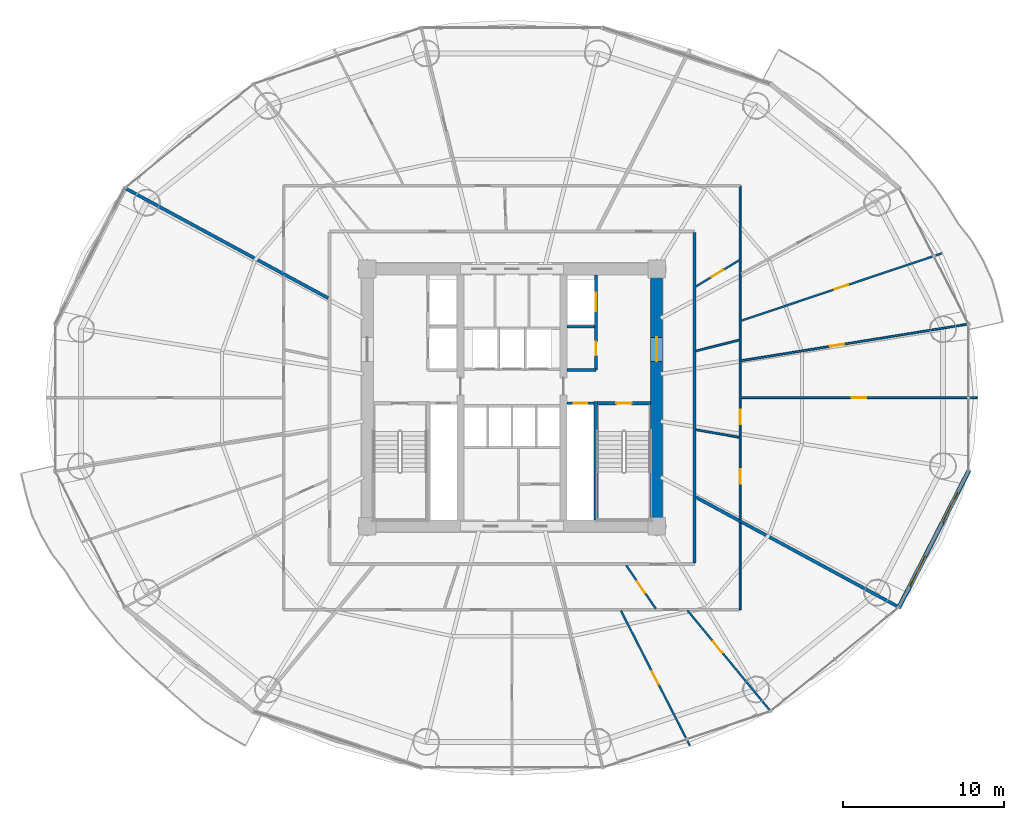
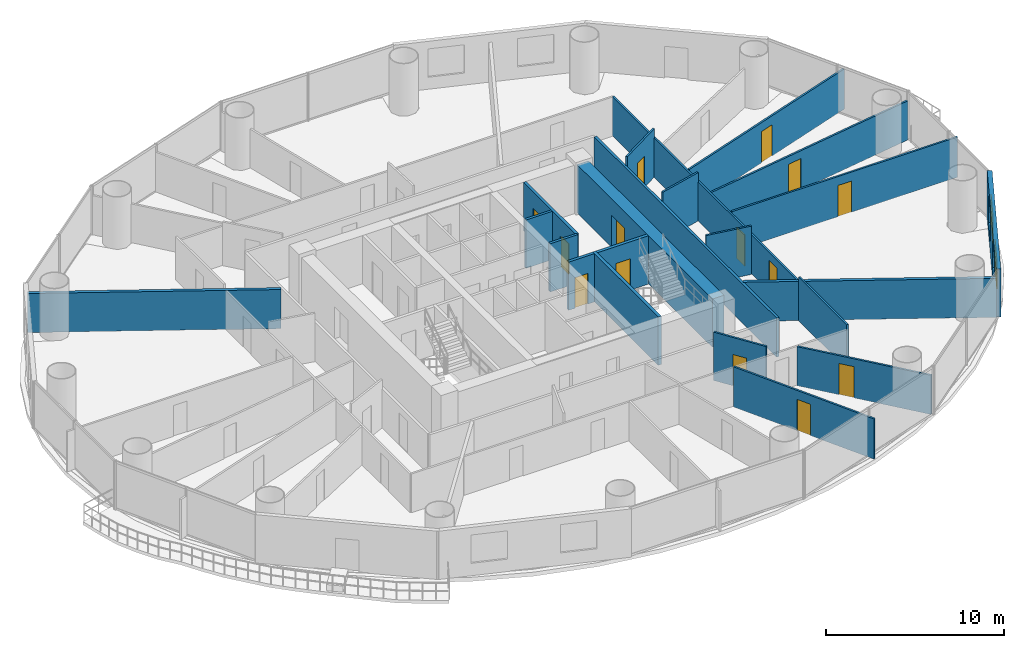
# One storey, part 24 of 29: 22 walls, 14 doors, 2 windows, 16 openings.
"""IFC4 building model written with IfcOpenShell, lengths in metres."""

from ifc_helpers import new_model, si_unit, direction, frame, frame_2d, origin, place, context, subcontext, project, spatial, rectangle, extrude, source, transform, mapped, material, layer, layer_set, type_object, element, fill, save


model = new_model("IFC4")

# Units and contexts
model_context = context("Model", 3, precision=1e-05, world=origin(), true_north=direction((-0.2419218956, 0.970295726276)))
body_context = subcontext(model_context, "Body", "Model", "MODEL_VIEW")
ifc_project = project(units=[si_unit("LENGTHUNIT", "METRE"), si_unit("AREAUNIT", "SQUARE_METRE"), si_unit("VOLUMEUNIT", "CUBIC_METRE"), si_unit("PLANEANGLEUNIT", "RADIAN"), si_unit("MASSUNIT", "GRAM", prefix="KILO")], contexts=[model_context])

# Site, building, storey
site_placement = place(None, origin())
site = spatial("IfcSite", under=ifc_project, at=site_placement, CompositionType="ELEMENT")
building_placement = place(site_placement, origin())
building = spatial("IfcBuilding", under=site, at=building_placement, Name="Cobrevalo Terracotta Tower", CompositionType="ELEMENT")
storey_placement = place(building_placement, frame((0.0, 0.0, 45.60009765625)))
storey = spatial("IfcBuildingStorey", under=building, at=storey_placement, Name="L11", CompositionType="ELEMENT", Elevation=45.60009765625)

# Wall, opening, door
ifc_material_1 = material(Name="Concrete C60", Category="concrete")
ifc_layer_1 = layer(ifc_material_1, 0.75)
ifc_layer_set_1 = layer_set([ifc_layer_1], Name="Concrete C60")
wall_type_1 = type_object("IfcWallType", Name="Core shear wall 750 mm Concrete C60", PredefinedType="SHEAR", material=ifc_layer_set_1)
wall_1_placement = place(storey_placement, frame((47.0, 19.175048828125, 0.0), z_axis=(0.0, 0.0, 1.0), x_axis=(0.0, 1.0, 0.0)))
wall_1 = element("IfcWall", 1, at=wall_1_placement, inside=storey, type_object=wall_type_1, Name="L11 east core shear wall", PredefinedType="SHEAR", context=body_context, shape_type="SweptSolid", body=[
    extrude(rectangle(XDim=15.25, YDim=0.75, at=frame_2d((7.625, 0.0))), origin(), (0.0, 0.0, 1.0), 3.31982421875),
])
opening_1_placement = place(wall_1_placement, frame((9.875, 0.0, 0.0)))
opening_1 = element("IfcOpeningElement", 2, at=opening_1_placement, cuts=wall_1, Name="Opening ID-14", PredefinedType="OPENING", context=body_context, shape_type="SweptSolid", body=[
    extrude(rectangle(XDim=1.5, YDim=2.199951171875, at=frame_2d((0.75, 1.10009765625))), frame((0.0, 0.385009765625, 0.0), z_axis=(0.0, -1.0, 0.0), x_axis=(1.0, 0.0, 0.0)), (0.0, 0.0, 1.0), 0.77001953125),
])
ifc_material_2 = material(Name="Galvanized fire-rated steel", Category="steel")
door_type_1 = type_object("IfcDoorType", Name="Core cross-lobby double fire door 1500x2200 EI 90", OperationType="NOTDEFINED", PredefinedType="DOOR", material=ifc_material_2)
shared_shape_1 = source(origin(), body_context, "Body", "SweptSolid", [
    extrude(rectangle(XDim=1.5, YDim=2.199951171875, at=frame_2d((0.75, 1.10009765625))), frame((0.0, 0.02490234375, 0.0), z_axis=(0.0, -1.0, 0.0), x_axis=(1.0, 0.0, 0.0)), (0.0, 0.0, 1.0), 0.050048828125),
])
door_1_placement = place(opening_1_placement, frame((1.5, 0.0, 0.0), z_axis=(0.0, 0.0, 1.0), x_axis=(-1.0, 0.0, 0.0)))
door_1 = element("IfcDoor", 3, at=door_1_placement, inside=storey, type_object=door_type_1, Name="L11 east firefighting lobby entrance door", OperationType="DOUBLE_DOOR_SINGLE_SWING", OverallHeight=2.199951171875, OverallWidth=1.5, PredefinedType="DOOR", context=body_context, shape_type="MappedRepresentation", body=[
    mapped(shared_shape_1, transform((0.0, 0.0, 0.0), scale=1.0)),
])
fill(opening_1, door_1)

# Walls
ifc_material_3 = material(Name="Gypsum board on steel stud", Category="steel")
ifc_layer_2 = layer(ifc_material_3, 0.159912109375)
ifc_layer_set_2 = layer_set([ifc_layer_2], Name="Gypsum board on steel stud")
wall_type_2 = type_object("IfcWallType", Name="Fire-rated corridor acoustic partition wall 160 mm", PredefinedType="PARTITIONING", material=ifc_layer_set_2)
wall_2_placement = place(storey_placement, frame((41.425048828125, 31.219970703125, 0.0), z_axis=(0.0, 0.0, 1.0), x_axis=(1.0, 0.0, 0.0)))
element("IfcWall", 4, at=wall_2_placement, inside=storey, type_object=wall_type_2, Name="L11 interior partition IW-L11-FF2-M", PredefinedType="PARTITIONING", context=body_context, shape_type="SweptSolid", body=[
    extrude(rectangle(XDim=1.71484375, YDim=0.159912109375, at=frame_2d((0.857421875, 0.0))), origin(), (0.0, 0.0, 1.0), 3.31982421875),
])
wall_3_placement = place(storey_placement, frame((41.425048828125, 28.52001953125, 0.0), z_axis=(0.0, 0.0, 1.0), x_axis=(1.0, 0.0, 0.0)))
element("IfcWall", 5, at=wall_3_placement, inside=storey, type_object=wall_type_2, Name="L11 interior partition IW-L11-FF2-S", PredefinedType="PARTITIONING", context=body_context, shape_type="SweptSolid", body=[
    extrude(rectangle(XDim=1.804931640625, YDim=0.159912109375, at=frame_2d((0.90234375, 0.0))), origin(), (0.0, 0.0, 1.0), 3.31982421875),
])
wall_4_placement = place(storey_placement, frame((49.35498046875, 16.52490234375, 0.0), z_axis=(0.0, 0.0, 1.0), x_axis=(0.0, 1.0, 0.0)))
element("IfcWall", 6, at=wall_4_placement, inside=storey, type_object=wall_type_2, Name="L11 interior partition IW-L11-COR-E", PredefinedType="PARTITIONING", context=body_context, shape_type="SweptSolid", body=[
    extrude(rectangle(XDim=20.550048828125, YDim=0.159912109375, at=frame_2d((10.27490234375, 0.0))), origin(), (0.0, 0.0, 1.0), 2.68798828125),
])

# Wall, opening, door
ifc_layer_3 = layer(ifc_material_3, 0.179931640625)
ifc_layer_set_3 = layer_set([ifc_layer_3], Name="Gypsum board on steel stud")
wall_type_3 = type_object("IfcWallType", Name="Fire-rated shaft & lobby acoustic partition wall 180 mm", PredefinedType="PARTITIONING", material=ifc_layer_set_3)
wall_5_placement = place(storey_placement, frame((41.425048828125, 26.449951171875, 0.0), z_axis=(0.0, 0.0, 1.0), x_axis=(1.0, 0.0, 0.0)))
wall_5 = element("IfcWall", 7, at=wall_5_placement, inside=storey, type_object=wall_type_3, Name="L11 interior partition IW-L11-RSE-N", PredefinedType="PARTITIONING", context=body_context, shape_type="SweptSolid", body=[
    extrude(rectangle(XDim=1.675048828125, YDim=0.179931640625, at=frame_2d((0.83740234375, 0.0))), origin(), (0.0, 0.0, 1.0), 3.31982421875),
])
opening_2_placement = place(wall_5_placement, frame((0.41259765625, 0.0, 0.0)))
opening_2 = element("IfcOpeningElement", 8, at=opening_2_placement, cuts=wall_5, Name="Opening ID-22", PredefinedType="OPENING", context=body_context, shape_type="SweptSolid", body=[
    extrude(rectangle(XDim=0.85009765625, YDim=2.10009765625, at=frame_2d((0.425048828125, 1.050048828125))), frame((0.0, 0.10009765625, 0.0), z_axis=(0.0, -1.0, 0.0), x_axis=(1.0, 0.0, 0.0)), (0.0, 0.0, 1.0), 0.199951171875),
])
ifc_material_4 = material(Name="Powder-coated steel", Category="steel")
door_type_2 = type_object("IfcDoorType", Name="Riser shaft & meter closet fire access door 850x2100 EI 60", OperationType="NOTDEFINED", PredefinedType="DOOR", material=ifc_material_4)
shared_shape_2 = source(origin(), body_context, "Body", "SweptSolid", [
    extrude(rectangle(XDim=0.85009765625, YDim=2.10009765625, at=frame_2d((0.425048828125, 1.050048828125))), frame((0.0, 0.02490234375, 0.0), z_axis=(0.0, -1.0, 0.0), x_axis=(1.0, 0.0, 0.0)), (0.0, 0.0, 1.0), 0.050048828125),
])
door_2_placement = place(opening_2_placement, origin())
door_2 = element("IfcDoor", 9, at=door_2_placement, inside=storey, type_object=door_type_2, Name="L11 riser access door RSE", OperationType="SINGLE_SWING_RIGHT", OverallHeight=2.10009765625, OverallWidth=0.85009765625, PredefinedType="DOOR", context=body_context, shape_type="MappedRepresentation", body=[
    mapped(shared_shape_2, transform((0.0, 0.0, 0.0), scale=1.0)),
])
fill(opening_2, door_2)

# Wall, openings, doors
wall_6_placement = place(storey_placement, frame((43.22998046875, 28.52001953125, 0.0), z_axis=(0.0, 0.0, 1.0), x_axis=(0.0, 1.0, 0.0)))
wall_6 = element("IfcWall", 10, at=wall_6_placement, inside=storey, type_object=wall_type_3, Name="L11 interior partition IW-L11-FF2-E", PredefinedType="PARTITIONING", context=body_context, shape_type="SweptSolid", body=[
    extrude(rectangle(XDim=5.905029296875, YDim=0.179931640625, at=frame_2d((2.95263671875, 0.0))), origin(), (0.0, 0.0, 1.0), 3.31982421875),
])
opening_3_placement = place(wall_6_placement, frame((0.905029296875, 0.0, 0.0)))
opening_3 = element("IfcOpeningElement", 11, at=opening_3_placement, cuts=wall_6, Name="Opening ID-22", PredefinedType="OPENING", context=body_context, shape_type="SweptSolid", body=[
    extrude(rectangle(XDim=0.85009765625, YDim=2.10009765625, at=frame_2d((0.425048828125, 1.050048828125))), frame((0.0, 0.10009765625, 0.0), z_axis=(0.0, -1.0, 0.0), x_axis=(1.0, 0.0, 0.0)), (0.0, 0.0, 1.0), 0.199951171875),
])
opening_4_placement = place(wall_6_placement, frame((3.655029296875, 0.0, 0.0)))
opening_4 = element("IfcOpeningElement", 12, at=opening_4_placement, cuts=wall_6, Name="Opening LD-02", PredefinedType="OPENING", context=body_context, shape_type="SweptSolid", body=[
    extrude(rectangle(XDim=1.14990234375, YDim=2.199951171875, at=frame_2d((0.574951171875, 1.10009765625))), frame((0.0, 0.10009765625, 0.0), z_axis=(0.0, -1.0, 0.0), x_axis=(1.0, 0.0, 0.0)), (0.0, 0.0, 1.0), 0.199951171875),
])
door_3_placement = place(opening_3_placement, frame((0.85009765625, 0.0, 0.0), z_axis=(0.0, 0.0, 1.0), x_axis=(-1.0, 0.0, 0.0)))
door_3 = element("IfcDoor", 13, at=door_3_placement, inside=storey, type_object=door_type_2, Name="L11 housekeeping store door", OperationType="SINGLE_SWING_RIGHT", OverallHeight=2.10009765625, OverallWidth=0.85009765625, PredefinedType="DOOR", context=body_context, shape_type="MappedRepresentation", body=[
    mapped(shared_shape_2, transform((0.0, 0.0, 0.0), scale=1.0)),
])
fill(opening_3, door_3)
ifc_material_5 = material(Name="Brushed stainless steel", Category="steel")
door_type_3 = type_object("IfcDoorType", Name="Firefighting lift landing bi-parting sliding door 1150x2200 EI 120", OperationType="DOUBLE_DOOR_SLIDING", PredefinedType="DOOR", material=ifc_material_5)
shared_shape_3 = source(origin(), body_context, "Body", "SweptSolid", [
    extrude(rectangle(XDim=1.14990234375, YDim=2.199951171875, at=frame_2d((0.574951171875, 1.10009765625))), frame((0.0, 0.02490234375, 0.0), z_axis=(0.0, -1.0, 0.0), x_axis=(1.0, 0.0, 0.0)), (0.0, 0.0, 1.0), 0.050048828125),
])
door_4_placement = place(opening_4_placement, origin())
door_4 = element("IfcDoor", 14, at=door_4_placement, inside=storey, type_object=door_type_3, Name="L11 lift landing door FF-2", OperationType="DOUBLE_DOOR_SLIDING", OverallHeight=2.199951171875, OverallWidth=1.14990234375, PredefinedType="DOOR", context=body_context, shape_type="MappedRepresentation", body=[
    mapped(shared_shape_3, transform((0.0, 0.0, 0.0), scale=1.0)),
])
fill(opening_4, door_4)

# Walls
ifc_material_6 = material(Name="Autoclaved aerated concrete block", Category="concrete")
ifc_layer_4 = layer(ifc_material_6, 0.199951171875)
ifc_layer_set_4 = layer_set([ifc_layer_4], Name="Autoclaved aerated concrete block")
wall_type_4 = type_object("IfcWallType", Name="Fire-rated stair, shaft & demising masonry wall 200 mm", PredefinedType="PARTITIONING", material=ifc_layer_set_4)
for number, where, z_axis, x_axis, name in (
    (15, (49.43505859375, 20.6083984375, 0.0), (0.0, 0.0, 1.0), (0.879369737803, -0.476139542819, 0.0), "L11 interior partition IW-L11-DEM-1"),
    (16, (26.56494140625, 32.991455078125, 0.0), (0.0, 0.0, 1.0), (-0.879369737803, 0.476139542819, 0.0), "L11 interior partition IW-L11-DEM-3"),
):
    element("IfcWall", number, at=place(storey_placement, frame(where, z_axis=z_axis, x_axis=x_axis)), inside=storey, type_object=wall_type_4, Name=name, PredefinedType="PARTITIONING", context=body_context, shape_type="SweptSolid", body=[
        extrude(rectangle(XDim=14.294921875, YDim=0.199951171875, at=frame_2d((7.1474609375, 0.0))), origin(), (0.0, 0.0, 1.0), 2.68798828125),
    ])

# Wall, openings, windows
ifc_layer_5 = layer(ifc_material_6, 0.280029296875)
ifc_layer_set_5 = layer_set([ifc_layer_5], Name="Autoclaved aerated concrete block")
wall_type_5 = type_object("IfcWallType", Name="Insulated tower spandrel & pier wall 280 mm with terracotta rainscreen", PredefinedType="SOLIDWALL", material=ifc_layer_set_5)
wall_7_placement = place(storey_placement, frame((62.05126953125, 13.689453125, 0.0), z_axis=(0.0, 0.0, 1.0), x_axis=(0.455220575541, 0.890378698984, 0.0)))
wall_7 = element("IfcWall", 17, at=wall_7_placement, inside=storey, type_object=wall_type_5, Name="L11 terracotta rainscreen pier wall S15", PredefinedType="SOLIDWALL", context=body_context, shape_type="SweptSolid", body=[
    extrude(rectangle(XDim=9.662109375, YDim=0.280029296875, at=frame_2d((4.8310546875, 0.0))), origin(), (0.0, 0.0, 1.0), 3.31982421875),
])
opening_5_placement = place(wall_7_placement, frame((1.558837890625, 0.0, 0.85009765625)))
opening_5 = element("IfcOpeningElement", 18, at=opening_5_placement, cuts=wall_7, Name="Opening WN-10", PredefinedType="OPENING", context=body_context, shape_type="SweptSolid", body=[
    extrude(rectangle(XDim=2.10009765625, YDim=1.949951171875, at=frame_2d((1.050048828125, 0.97509765625))), frame((0.0, 0.14990234375, 0.0), z_axis=(0.0, -1.0, 0.0), x_axis=(1.0, 0.0, 0.0)), (0.0, 0.0, 1.0), 0.300048828125),
])
opening_6_placement = place(wall_7_placement, frame((6.00341796875, 0.0, 0.85009765625)))
opening_6 = element("IfcOpeningElement", 19, at=opening_6_placement, cuts=wall_7, Name="Opening WN-10", PredefinedType="OPENING", context=body_context, shape_type="SweptSolid", body=[
    extrude(rectangle(XDim=2.10009765625, YDim=1.949951171875, at=frame_2d((1.050048828125, 0.97509765625))), frame((0.0, 0.14990234375, 0.0), z_axis=(0.0, -1.0, 0.0), x_axis=(1.0, 0.0, 0.0)), (0.0, 0.0, 1.0), 0.300048828125),
])
ifc_material_7 = material(Name="Solar-control low-E double glazing", Category="glass")
window_type = type_object("IfcWindowType", Name="Wide panoramic low-E aluminium window 2100x1950", PartitioningType="SINGLE_PANEL", PredefinedType="WINDOW", material=ifc_material_7)
shared_shape_4 = source(origin(), body_context, "Body", "SweptSolid", [
    extrude(rectangle(XDim=2.10009765625, YDim=1.949951171875, at=frame_2d((1.050048828125, 0.97509765625))), frame((0.0, 0.030029296875, 0.0), z_axis=(0.0, -1.0, 0.0), x_axis=(1.0, 0.0, 0.0)), (0.0, 0.0, 1.0), 0.06005859375),
])
window_1_placement = place(opening_5_placement, origin())
window_1 = element("IfcWindow", 20, at=window_1_placement, inside=storey, type_object=window_type, Name="L11 suite window S15A", OverallHeight=1.949951171875, OverallWidth=2.10009765625, PartitioningType="SINGLE_PANEL", PredefinedType="WINDOW", context=body_context, shape_type="MappedRepresentation", body=[
    mapped(shared_shape_4, transform((0.0, 0.0, 0.0), scale=1.0)),
])
fill(opening_5, window_1)
window_2_placement = place(opening_6_placement, origin())
window_2 = element("IfcWindow", 21, at=window_2_placement, inside=storey, type_object=window_type, Name="L11 suite window S15B", OverallHeight=1.949951171875, OverallWidth=2.10009765625, PartitioningType="SINGLE_PANEL", PredefinedType="WINDOW", context=body_context, shape_type="MappedRepresentation", body=[
    mapped(shared_shape_4, transform((0.0, 0.0, 0.0), scale=1.0)),
])
fill(opening_6, window_2)

# Wall, openings, doors
ifc_layer_6 = layer(ifc_material_3, 0.1201171875)
ifc_layer_set_6 = layer_set([ifc_layer_6], Name="Gypsum board on steel stud")
wall_type_6 = type_object("IfcWallType", Name="Residential internal acoustic stud partition 120 mm", PredefinedType="PARTITIONING", material=ifc_layer_set_6)
wall_8_placement = place(storey_placement, frame((52.195068359375, 39.9951171875, 0.0), z_axis=(0.0, 0.0, 1.0), x_axis=(0.0, -1.0, 0.0)))
wall_8 = element("IfcWall", 22, at=wall_8_placement, inside=storey, type_object=wall_type_6, Name="L11 interior partition IW-L11-U1-RING1_0", PredefinedType="PARTITIONING", context=body_context, shape_type="SweptSolid", body=[
    extrude(rectangle(XDim=20.779052734375, YDim=0.1201171875, at=frame_2d((10.3896484375, 0.0))), origin(), (0.0, 0.0, 1.0), 2.68798828125),
])
opening_7_placement = place(wall_8_placement, frame((13.944091796875, 0.0, 0.0)))
opening_7 = element("IfcOpeningElement", 23, at=opening_7_placement, cuts=wall_8, Name="Opening ID-12", PredefinedType="OPENING", context=body_context, shape_type="SweptSolid", body=[
    extrude(rectangle(XDim=0.89990234375, YDim=2.14990234375, at=frame_2d((0.449951171875, 1.074951171875))), frame((0.0, 0.070068359375, 0.0), z_axis=(0.0, -1.0, 0.0), x_axis=(1.0, 0.0, 0.0)), (0.0, 0.0, 1.0), 0.14013671875),
])
opening_8_placement = place(wall_8_placement, frame((17.654541015625, 0.0, 0.0)))
opening_8 = element("IfcOpeningElement", 24, at=opening_8_placement, cuts=wall_8, Name="Opening ID-12", PredefinedType="OPENING", context=body_context, shape_type="SweptSolid", body=[
    extrude(rectangle(XDim=0.89990234375, YDim=2.14990234375, at=frame_2d((0.449951171875, 1.074951171875))), frame((0.0, 0.070068359375, 0.0), z_axis=(0.0, -1.0, 0.0), x_axis=(1.0, 0.0, 0.0)), (0.0, 0.0, 1.0), 0.14013671875),
])
ifc_material_8 = material(Name="Engineered timber", Category="wood")
door_type_4 = type_object("IfcDoorType", Name="Internal residence & suite timber door 900x2150", OperationType="NOTDEFINED", PredefinedType="DOOR", material=ifc_material_8)
shared_shape_5 = source(origin(), body_context, "Body", "SweptSolid", [
    extrude(rectangle(XDim=0.89990234375, YDim=2.14990234375, at=frame_2d((0.449951171875, 1.074951171875))), frame((0.0, 0.02490234375, 0.0), z_axis=(0.0, -1.0, 0.0), x_axis=(1.0, 0.0, 0.0)), (0.0, 0.0, 1.0), 0.050048828125),
])
door_5_placement = place(opening_7_placement, frame((0.89990234375, 0.0, 0.0), z_axis=(0.0, 0.0, 1.0), x_axis=(-1.0, 0.0, 0.0)))
door_5 = element("IfcDoor", 25, at=door_5_placement, inside=storey, type_object=door_type_4, Name="Flat L11A Kitchen internal door", OperationType="SINGLE_SWING_RIGHT", OverallHeight=2.14990234375, OverallWidth=0.89990234375, PredefinedType="DOOR", context=body_context, shape_type="MappedRepresentation", body=[
    mapped(shared_shape_5, transform((0.0, 0.0, 0.0), scale=1.0)),
])
fill(opening_7, door_5)
door_6_placement = place(opening_8_placement, frame((0.89990234375, 0.0, 0.0), z_axis=(0.0, 0.0, 1.0), x_axis=(-1.0, 0.0, 0.0)))
door_6 = element("IfcDoor", 26, at=door_6_placement, inside=storey, type_object=door_type_4, Name="Flat L11A Home Office Study internal door", OperationType="SINGLE_SWING_LEFT", OverallHeight=2.14990234375, OverallWidth=0.89990234375, PredefinedType="DOOR", context=body_context, shape_type="MappedRepresentation", body=[
    mapped(shared_shape_5, transform((0.0, 0.0, 0.0), scale=1.0)),
])
fill(opening_8, door_6)

# Wall, opening, door
wall_9_placement = place(storey_placement, frame((52.257080078125, 26.800048828125, 0.0), z_axis=(0.0, 0.0, 1.0), x_axis=(1.0, 0.0, 0.0)))
wall_9 = element("IfcWall", 27, at=wall_9_placement, inside=storey, type_object=wall_type_6, Name="L11 interior partition IW-L11-U1-ORAD1", PredefinedType="PARTITIONING", context=body_context, shape_type="SweptSolid", body=[
    extrude(rectangle(XDim=14.682861328125, YDim=0.1201171875, at=frame_2d((7.34130859375, 0.0))), origin(), (0.0, 0.0, 1.0), 2.761962890625),
])
opening_9_placement = place(wall_9_placement, frame((6.8916015625, 0.0, 0.0)))
opening_9 = element("IfcOpeningElement", 28, at=opening_9_placement, cuts=wall_9, Name="Opening ID-12", PredefinedType="OPENING", context=body_context, shape_type="SweptSolid", body=[
    extrude(rectangle(XDim=0.89990234375, YDim=2.14990234375, at=frame_2d((0.449951171875, 1.074951171875))), frame((0.0, 0.070068359375, 0.0), z_axis=(0.0, -1.0, 0.0), x_axis=(1.0, 0.0, 0.0)), (0.0, 0.0, 1.0), 0.14013671875),
])
door_7_placement = place(opening_9_placement, frame((0.89990234375, 0.0, 0.0), z_axis=(0.0, 0.0, 1.0), x_axis=(-1.0, 0.0, 0.0)))
door_7 = element("IfcDoor", 29, at=door_7_placement, inside=storey, type_object=door_type_4, Name="Flat L11A Penthouse Living and Dining Room internal door", OperationType="SINGLE_SWING_LEFT", OverallHeight=2.14990234375, OverallWidth=0.89990234375, PredefinedType="DOOR", context=body_context, shape_type="MappedRepresentation", body=[
    mapped(shared_shape_5, transform((0.0, 0.0, 0.0), scale=1.0)),
])
fill(opening_9, door_7)

wall_10_placement = place(storey_placement, frame((52.256103515625, 29.097900390625, 0.0), z_axis=(0.0, 0.0, 1.0), x_axis=(0.987257017041, 0.159133850272, 0.0)))
wall_10 = element("IfcWall", 30, at=wall_10_placement, inside=storey, type_object=wall_type_6, Name="L11 interior partition IW-L11-U1-ORAD2M1", PredefinedType="PARTITIONING", context=body_context, shape_type="SweptSolid", body=[
    extrude(rectangle(XDim=14.248046875, YDim=0.1201171875, at=frame_2d((7.1240234375, 0.0))), origin(), (0.0, 0.0, 1.0), 2.68798828125),
])
opening_10_placement = place(wall_10_placement, frame((5.603271484375, 0.0, 0.0)))
opening_10 = element("IfcOpeningElement", 31, at=opening_10_placement, cuts=wall_10, Name="Opening ID-12", PredefinedType="OPENING", context=body_context, shape_type="SweptSolid", body=[
    extrude(rectangle(XDim=0.89990234375, YDim=2.14990234375, at=frame_2d((0.449951171875, 1.074951171875))), frame((0.0, 0.070068359375, 0.0), z_axis=(0.0, -1.0, 0.0), x_axis=(1.0, 0.0, 0.0)), (0.0, 0.0, 1.0), 0.14013671875),
])
door_8_placement = place(opening_10_placement, frame((0.89990234375, 0.0, 0.0), z_axis=(0.0, 0.0, 1.0), x_axis=(-1.0, 0.0, 0.0)))
door_8 = element("IfcDoor", 32, at=door_8_placement, inside=storey, type_object=door_type_4, Name="Flat L11A Master Bedroom internal door", OperationType="SINGLE_SWING_RIGHT", OverallHeight=2.14990234375, OverallWidth=0.89990234375, PredefinedType="DOOR", context=body_context, shape_type="MappedRepresentation", body=[
    mapped(shared_shape_5, transform((0.0, 0.0, 0.0), scale=1.0)),
])
fill(opening_10, door_8)

wall_11_placement = place(storey_placement, frame((52.253662109375, 31.58447265625, 0.0), z_axis=(0.0, 0.0, 1.0), x_axis=(0.948022802246, 0.318202398516, 0.0)))
wall_11 = element("IfcWall", 33, at=wall_11_placement, inside=storey, type_object=wall_type_6, Name="L11 interior partition IW-L11-U1-ORAD2", PredefinedType="PARTITIONING", context=body_context, shape_type="SweptSolid", body=[
    extrude(rectangle(XDim=13.162841796875, YDim=0.1201171875, at=frame_2d((6.58154296875, 0.0))), origin(), (0.0, 0.0, 1.0), 2.761962890625),
])
opening_11_placement = place(wall_11_placement, frame((6.13134765625, 0.0, 0.0)))
opening_11 = element("IfcOpeningElement", 34, at=opening_11_placement, cuts=wall_11, Name="Opening ID-12", PredefinedType="OPENING", context=body_context, shape_type="SweptSolid", body=[
    extrude(rectangle(XDim=0.89990234375, YDim=2.14990234375, at=frame_2d((0.449951171875, 1.074951171875))), frame((0.0, 0.070068359375, 0.0), z_axis=(0.0, -1.0, 0.0), x_axis=(1.0, 0.0, 0.0)), (0.0, 0.0, 1.0), 0.14013671875),
])
door_9_placement = place(opening_11_placement, frame((0.89990234375, 0.0, 0.0), z_axis=(0.0, 0.0, 1.0), x_axis=(-1.0, 0.0, 0.0)))
door_9 = element("IfcDoor", 35, at=door_9_placement, inside=storey, type_object=door_type_4, Name="Flat L11A Principal Guest Bedroom internal door", OperationType="SINGLE_SWING_LEFT", OverallHeight=2.14990234375, OverallWidth=0.89990234375, PredefinedType="DOOR", context=body_context, shape_type="MappedRepresentation", body=[
    mapped(shared_shape_5, transform((0.0, 0.0, 0.0), scale=1.0)),
])
fill(opening_11, door_9)

# Walls
wall_12_placement = place(storey_placement, frame((49.43505859375, 24.80322265625, 0.0), z_axis=(0.0, 0.0, 1.0), x_axis=(0.985100365489, -0.171980434681, 0.0)))
element("IfcWall", 36, at=wall_12_placement, inside=storey, type_object=wall_type_6, Name="L11 interior partition IW-L11-U1-IRAD1", PredefinedType="PARTITIONING", context=body_context, shape_type="SweptSolid", body=[
    extrude(rectangle(XDim=2.73974609375, YDim=0.1201171875, at=frame_2d((1.369873046875, 0.0))), origin(), (0.0, 0.0, 1.0), 3.31982421875),
])
wall_13_placement = place(storey_placement, frame((49.43505859375, 29.69873046875, 0.0), z_axis=(0.0, 0.0, 1.0), x_axis=(0.969327617988, 0.245772189243, 0.0)))
element("IfcWall", 37, at=wall_13_placement, inside=storey, type_object=wall_type_6, Name="L11 interior partition IW-L11-U1-IRAD2", PredefinedType="PARTITIONING", context=body_context, shape_type="SweptSolid", body=[
    extrude(rectangle(XDim=2.785400390625, YDim=0.1201171875, at=frame_2d((1.392578125, 0.0))), origin(), (0.0, 0.0, 1.0), 3.31982421875),
])

# Wall, opening, door
wall_14_placement = place(storey_placement, frame((49.43505859375, 33.7138671875, 0.0), z_axis=(0.0, 0.0, 1.0), x_axis=(0.855724035959, 0.517432482824, 0.0)))
wall_14 = element("IfcWall", 38, at=wall_14_placement, inside=storey, type_object=wall_type_6, Name="L11 interior partition IW-L11-U1-IRAD3", PredefinedType="PARTITIONING", context=body_context, shape_type="SweptSolid", body=[
    extrude(rectangle(XDim=3.1630859375, YDim=0.1201171875, at=frame_2d((1.58154296875, 0.0))), origin(), (0.0, 0.0, 1.0), 3.31982421875),
])
opening_12_placement = place(wall_14_placement, frame((1.151611328125, 0.0, 0.0)))
opening_12 = element("IfcOpeningElement", 39, at=opening_12_placement, cuts=wall_14, Name="Opening ID-19", PredefinedType="OPENING", context=body_context, shape_type="SweptSolid", body=[
    extrude(rectangle(XDim=0.860107421875, YDim=2.14990234375, at=frame_2d((0.43017578125, 1.074951171875))), frame((0.0, 0.070068359375, 0.0), z_axis=(0.0, -1.0, 0.0), x_axis=(1.0, 0.0, 0.0)), (0.0, 0.0, 1.0), 0.14013671875),
])
ifc_material_9 = material(Name="Moisture-sealed timber", Category="wood")
door_type_5 = type_object("IfcDoorType", Name="Suite bathroom internal timber door 860x2150", OperationType="NOTDEFINED", PredefinedType="DOOR", material=ifc_material_9)
shared_shape_6 = source(origin(), body_context, "Body", "SweptSolid", [
    extrude(rectangle(XDim=0.860107421875, YDim=2.14990234375, at=frame_2d((0.43017578125, 1.074951171875))), frame((0.0, 0.02490234375, 0.0), z_axis=(0.0, -1.0, 0.0), x_axis=(1.0, 0.0, 0.0)), (0.0, 0.0, 1.0), 0.050048828125),
])
door_10_placement = place(opening_12_placement, frame((0.860107421875, 0.0, 0.0), z_axis=(0.0, 0.0, 1.0), x_axis=(-1.0, 0.0, 0.0)))
door_10 = element("IfcDoor", 40, at=door_10_placement, inside=storey, type_object=door_type_5, Name="Flat L11A Primary Bathroom internal door", OperationType="SINGLE_SWING_RIGHT", OverallHeight=2.14990234375, OverallWidth=0.860107421875, PredefinedType="DOOR", context=body_context, shape_type="MappedRepresentation", body=[
    mapped(shared_shape_6, transform((0.0, 0.0, 0.0), scale=1.0)),
])
fill(opening_12, door_10)

# Wall
wall_15_placement = place(storey_placement, frame((52.195068359375, 19.011962890625, 0.0), z_axis=(0.0, 0.0, 1.0), x_axis=(0.0, -1.0, 0.0)))
element("IfcWall", 41, at=wall_15_placement, inside=storey, type_object=wall_type_6, Name="L11 interior partition IW-L11-U4-RING0_0", PredefinedType="PARTITIONING", context=body_context, shape_type="SweptSolid", body=[
    extrude(rectangle(XDim=5.406982421875, YDim=0.1201171875, at=frame_2d((2.70361328125, 0.0))), origin(), (0.0, 0.0, 1.0), 2.9990234375),
])

# Wall, opening, door
wall_16_placement = place(storey_placement, frame((44.77294921875, 13.5498046875, 0.0), z_axis=(0.0, 0.0, 1.0), x_axis=(0.455131567849, -0.890424200001, 0.0)))
wall_16 = element("IfcWall", 42, at=wall_16_placement, inside=storey, type_object=wall_type_6, Name="L11 interior partition IW-L11-U4-ORAD2M2", PredefinedType="PARTITIONING", context=body_context, shape_type="SweptSolid", body=[
    extrude(rectangle(XDim=9.438720703125, YDim=0.1201171875, at=frame_2d((4.71923828125, 0.0))), origin(), (0.0, 0.0, 1.0), 2.761962890625),
])
opening_13_placement = place(wall_16_placement, frame((4.269287109375, 0.0, 0.0)))
opening_13 = element("IfcOpeningElement", 43, at=opening_13_placement, cuts=wall_16, Name="Opening ID-12", PredefinedType="OPENING", context=body_context, shape_type="SweptSolid", body=[
    extrude(rectangle(XDim=0.89990234375, YDim=2.14990234375, at=frame_2d((0.449951171875, 1.074951171875))), frame((0.0, 0.070068359375, 0.0), z_axis=(0.0, -1.0, 0.0), x_axis=(1.0, 0.0, 0.0)), (0.0, 0.0, 1.0), 0.14013671875),
])
door_11_placement = place(opening_13_placement, frame((0.89990234375, 0.0, 0.0), z_axis=(0.0, 0.0, 1.0), x_axis=(-1.0, 0.0, 0.0)))
door_11 = element("IfcDoor", 44, at=door_11_placement, inside=storey, type_object=door_type_4, Name="Flat L11D Principal Guest Bedroom internal door", OperationType="SINGLE_SWING_RIGHT", OverallHeight=2.14990234375, OverallWidth=0.89990234375, PredefinedType="DOOR", context=body_context, shape_type="MappedRepresentation", body=[
    mapped(shared_shape_5, transform((0.0, 0.0, 0.0), scale=1.0)),
])
fill(opening_13, door_11)

wall_17_placement = place(storey_placement, frame((48.91943359375, 13.55712890625, 0.0), z_axis=(0.0, 0.0, 1.0), x_axis=(0.636193310573, -0.771529695852, 0.0)))
wall_17 = element("IfcWall", 45, at=wall_17_placement, inside=storey, type_object=wall_type_6, Name="L11 interior partition IW-L11-U4-ORAD2", PredefinedType="PARTITIONING", context=body_context, shape_type="SweptSolid", body=[
    extrude(rectangle(XDim=8.0439453125, YDim=0.1201171875, at=frame_2d((4.02197265625, 0.0))), origin(), (0.0, 0.0, 1.0), 2.68798828125),
])
opening_14_placement = place(wall_17_placement, frame((2.50830078125, 0.0, 0.0)))
opening_14 = element("IfcOpeningElement", 46, at=opening_14_placement, cuts=wall_17, Name="Opening ID-12", PredefinedType="OPENING", context=body_context, shape_type="SweptSolid", body=[
    extrude(rectangle(XDim=0.89990234375, YDim=2.14990234375, at=frame_2d((0.449951171875, 1.074951171875))), frame((0.0, 0.070068359375, 0.0), z_axis=(0.0, -1.0, 0.0), x_axis=(1.0, 0.0, 0.0)), (0.0, 0.0, 1.0), 0.14013671875),
])
door_12_placement = place(opening_14_placement, origin())
door_12 = element("IfcDoor", 47, at=door_12_placement, inside=storey, type_object=door_type_4, Name="Flat L11D Penthouse Family Lounge internal door", OperationType="SINGLE_SWING_LEFT", OverallHeight=2.14990234375, OverallWidth=0.89990234375, PredefinedType="DOOR", context=body_context, shape_type="MappedRepresentation", body=[
    mapped(shared_shape_5, transform((0.0, 0.0, 0.0), scale=1.0)),
])
fill(opening_14, door_12)

wall_18_placement = place(storey_placement, frame((45.107666015625, 16.364990234375, 0.0), z_axis=(0.0, 0.0, 1.0), x_axis=(0.562992379509, -0.826462086617, 0.0)))
wall_18 = element("IfcWall", 48, at=wall_18_placement, inside=storey, type_object=wall_type_6, Name="L11 interior partition IW-L11-U4-IRAD3", PredefinedType="PARTITIONING", context=body_context, shape_type="SweptSolid", body=[
    extrude(rectangle(XDim=3.277587890625, YDim=0.1201171875, at=frame_2d((1.638671875, 0.0))), origin(), (0.0, 0.0, 1.0), 3.31982421875),
])
opening_15_placement = place(wall_18_placement, frame((1.208740234375, 0.0, 0.0)))
opening_15 = element("IfcOpeningElement", 49, at=opening_15_placement, cuts=wall_18, Name="Opening ID-19", PredefinedType="OPENING", context=body_context, shape_type="SweptSolid", body=[
    extrude(rectangle(XDim=0.860107421875, YDim=2.14990234375, at=frame_2d((0.43017578125, 1.074951171875))), frame((0.0, 0.070068359375, 0.0), z_axis=(0.0, -1.0, 0.0), x_axis=(1.0, 0.0, 0.0)), (0.0, 0.0, 1.0), 0.14013671875),
])
door_13_placement = place(opening_15_placement, frame((0.860107421875, 0.0, 0.0), z_axis=(0.0, 0.0, 1.0), x_axis=(-1.0, 0.0, 0.0)))
door_13 = element("IfcDoor", 50, at=door_13_placement, inside=storey, type_object=door_type_5, Name="Flat L11D Primary Bathroom internal door", OperationType="SINGLE_SWING_LEFT", OverallHeight=2.14990234375, OverallWidth=0.860107421875, PredefinedType="DOOR", context=body_context, shape_type="MappedRepresentation", body=[
    mapped(shared_shape_6, transform((0.0, 0.0, 0.0), scale=1.0)),
])
fill(opening_15, door_13)

# Wall
ifc_material_10 = material(Name="Concrete C50", Category="concrete")
ifc_layer_7 = layer(ifc_material_10, 0.199951171875)
ifc_layer_set_7 = layer_set([ifc_layer_7], Name="Concrete C50")
wall_type_7 = type_object("IfcWallType", Name="Structural core & podium stair-shaft RC wall 200 mm Concrete C50", PredefinedType="SOLIDWALL", material=ifc_layer_set_7)
wall_19_placement = place(storey_placement, frame((43.205078125, 19.175048828125, 0.0), z_axis=(0.0, 0.0, 1.0), x_axis=(0.0, 1.0, 0.0)))
element("IfcWall", 51, at=wall_19_placement, inside=storey, type_object=wall_type_7, Name="L11 ST-2 west structural shaft wall", PredefinedType="SOLIDWALL", context=body_context, shape_type="SweptSolid", body=[
    extrude(rectangle(XDim=7.375, YDim=0.199951171875, at=frame_2d((3.6875, 0.0))), origin(), (0.0, 0.0, 1.0), 3.31982421875),
])

# Wall, opening, door
wall_20_placement = place(storey_placement, frame((43.304931640625, 26.449951171875, 0.0), z_axis=(0.0, 0.0, 1.0), x_axis=(1.0, 0.0, 0.0)))
wall_20 = element("IfcWall", 52, at=wall_20_placement, inside=storey, type_object=wall_type_7, Name="L11 ST-2 north structural shaft wall", PredefinedType="SOLIDWALL", context=body_context, shape_type="SweptSolid", body=[
    extrude(rectangle(XDim=3.320068359375, YDim=0.199951171875, at=frame_2d((1.66015625, 0.0))), origin(), (0.0, 0.0, 1.0), 3.31982421875),
])
opening_16_placement = place(wall_20_placement, frame((1.18505859375, 0.0, 0.0)))
opening_16 = element("IfcOpeningElement", 53, at=opening_16_placement, cuts=wall_20, Name="Opening ID-04", PredefinedType="OPENING", context=body_context, shape_type="SweptSolid", body=[
    extrude(rectangle(XDim=0.949951171875, YDim=2.14990234375, at=frame_2d((0.47509765625, 1.074951171875))), frame((0.0, 0.10986328125, 0.0), z_axis=(0.0, -1.0, 0.0), x_axis=(1.0, 0.0, 0.0)), (0.0, 0.0, 1.0), 0.219970703125),
])
door_type_6 = type_object("IfcDoorType", Name="Stair & firefighting lobby fire door 950x2150 EI 90", OperationType="NOTDEFINED", PredefinedType="DOOR", material=ifc_material_2)
shared_shape_7 = source(origin(), body_context, "Body", "SweptSolid", [
    extrude(rectangle(XDim=0.949951171875, YDim=2.14990234375, at=frame_2d((0.47509765625, 1.074951171875))), frame((0.0, 0.02490234375, 0.0), z_axis=(0.0, -1.0, 0.0), x_axis=(1.0, 0.0, 0.0)), (0.0, 0.0, 1.0), 0.050048828125),
])
door_14_placement = place(opening_16_placement, frame((0.949951171875, 0.0, 0.0), z_axis=(0.0, 0.0, 1.0), x_axis=(-1.0, 0.0, 0.0)))
door_14 = element("IfcDoor", 54, at=door_14_placement, inside=storey, type_object=door_type_6, Name="L11 protected stair ST2 fire door", OperationType="SINGLE_SWING_RIGHT", OverallHeight=2.14990234375, OverallWidth=0.949951171875, PredefinedType="DOOR", context=body_context, shape_type="MappedRepresentation", body=[
    mapped(shared_shape_7, transform((0.0, 0.0, 0.0), scale=1.0)),
])
fill(opening_16, door_14)

save(model, "model.ifc")
